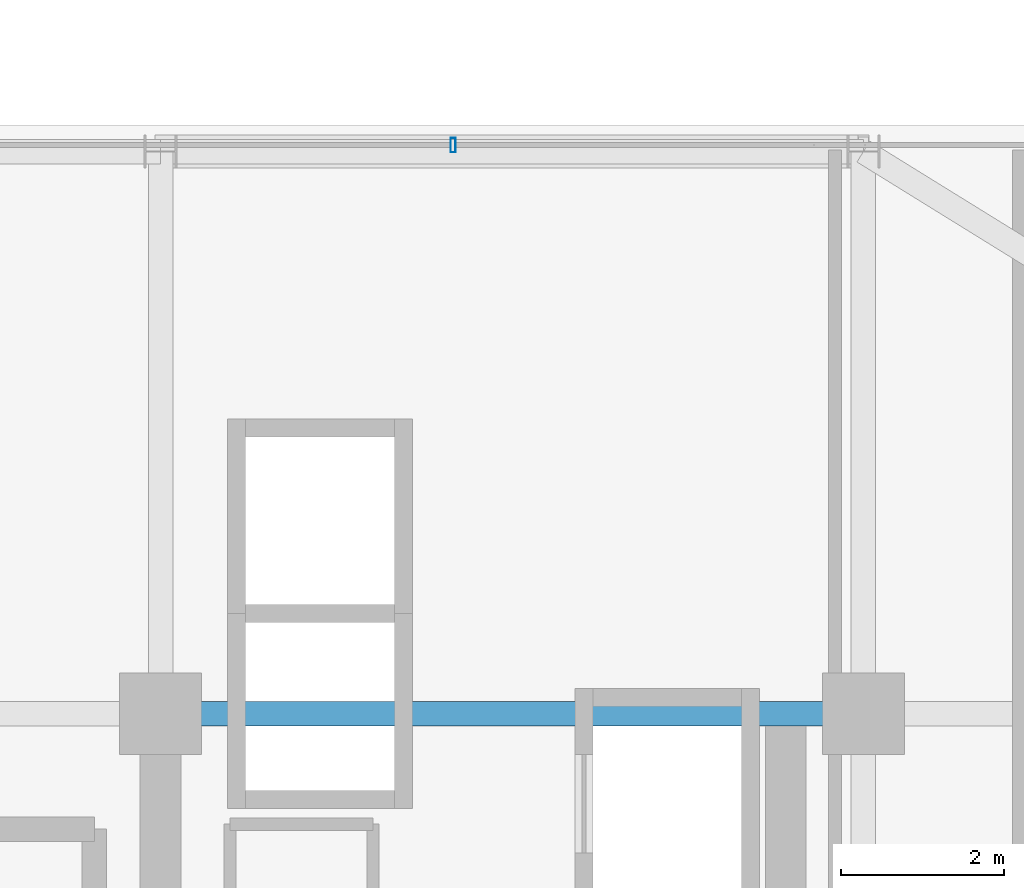
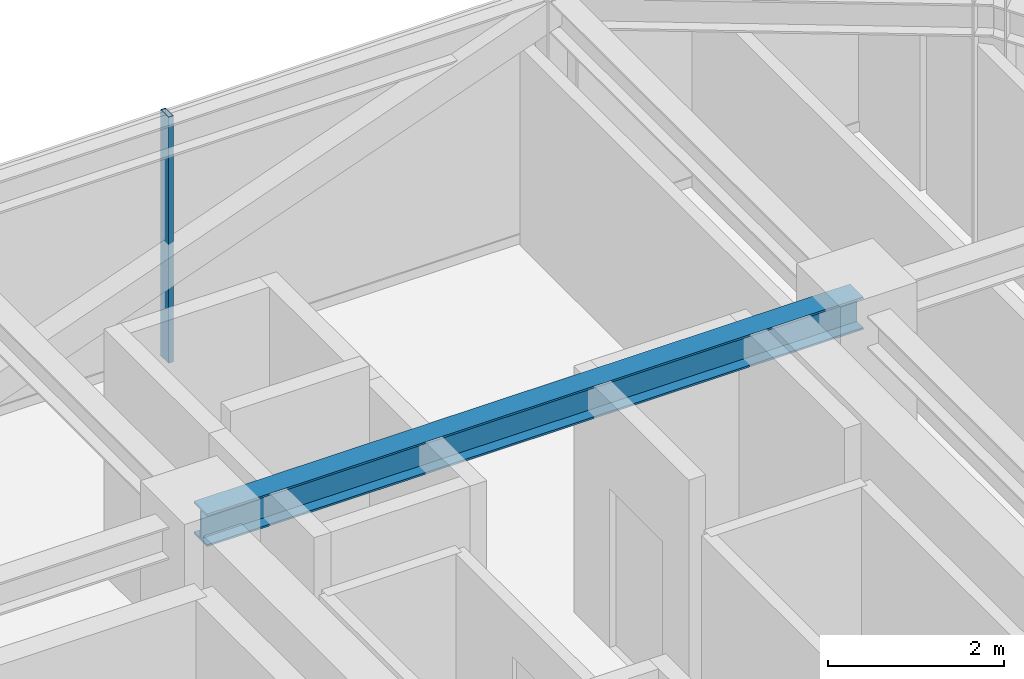
# One storey, part 24 of 41: 1 beam, 1 member, 1 element without a shape of its own.
"""IFC4 building model written with IfcOpenShell, lengths in metres."""

import ifcopenshell
import ifcopenshell.guid

model = None  # the IFC model being written
_history = None  # IfcOwnerHistory: only IFC2X3 demands one
_inside = {}  # id of a spatial element -> (the spatial element, [elements in it])
_under = {}  # id of a project, library or spatial element -> (it, [spatial elements below it])
_declared = {}  # id of a project -> (the project, [libraries it declares])
_typed = {}  # id of a type object -> (the type object, [elements of that type])
_made_of = {}  # id of a material, layer set ... -> (it, [elements and type objects made of it])


def new_model(schema):
    """Start an empty IFC model of exactly this schema.

    Asked for "IFC4X3", IfcOpenShell would pick the latest addendum, in which some entities
    have other attributes; the version numbers below select the first issue.
    IFC2X3 requires an IfcOwnerHistory on every rooted entity: one is made here for all.
    """
    global model, _history
    if schema == "IFC4X3":
        model = ifcopenshell.file(schema_version=(4, 3, 0, 0))
    else:
        model = ifcopenshell.file(schema=schema)
    _inside.clear()
    _under.clear()
    _declared.clear()
    _typed.clear()
    _made_of.clear()
    _history = None
    if model.schema == "IFC2X3":
        org = make("IfcOrganization", Name="unknown")
        user = make(
            "IfcPersonAndOrganization",
            ThePerson=make("IfcPerson", FamilyName="unknown"),
            TheOrganization=org,
        )
        app = make(
            "IfcApplication",
            ApplicationDeveloper=org,
            Version="unknown",
            ApplicationFullName="unknown",
            ApplicationIdentifier="unknown",
        )
        _history = make(
            "IfcOwnerHistory",
            OwningUser=user,
            OwningApplication=app,
            ChangeAction="ADDED",
            CreationDate=0,
        )
    return model


def make(cls, **values):
    """One entity of the class cls with the attributes given. An attribute that is None is left unset."""
    return model.create_entity(
        cls, **{name: value for name, value in values.items() if value is not None}
    )


def rooted(cls, **values):
    """An entity with a GlobalId (a new one), such as an element, a storey or a relation."""
    return make(cls, GlobalId=ifcopenshell.guid.new(), OwnerHistory=_history, **values)


def si_unit(unit_type, name, prefix=None):
    """IfcSIUnit, for example si_unit("LENGTHUNIT", "METRE", prefix="MILLI")."""
    return make("IfcSIUnit", UnitType=unit_type, Prefix=prefix, Name=name)


def assignment(units):
    """IfcUnitAssignment: the units of a project."""
    return None if units is None else make("IfcUnitAssignment", Units=units)


def point(xyz):
    """IfcCartesianPoint."""
    return None if xyz is None else make("IfcCartesianPoint", Coordinates=xyz)


def direction(xyz):
    """IfcDirection."""
    return None if xyz is None else make("IfcDirection", DirectionRatios=xyz)


def frame(location, z_axis=None, x_axis=None):
    """IfcAxis2Placement3D, a coordinate frame: its origin and axes. An axis left out is left unset."""
    return make(
        "IfcAxis2Placement3D",
        Location=point(location),
        Axis=direction(z_axis),
        RefDirection=direction(x_axis),
    )


def frame_2d(location, x_axis=None):
    """IfcAxis2Placement2D, a coordinate frame in the plane: its origin and x axis."""
    return make(
        "IfcAxis2Placement2D", Location=point(location), RefDirection=direction(x_axis)
    )


def origin():
    """The frame at (0, 0, 0) with its axes left unset."""
    return frame((0.0, 0.0, 0.0))


def origin_2d():
    """The frame at (0, 0) in the plane with its x axis left unset."""
    return frame_2d((0.0, 0.0))


def place(relative_to, where):
    """IfcLocalPlacement: puts the frame where relative to a parent placement (None: the world)."""
    return make(
        "IfcLocalPlacement", PlacementRelTo=relative_to, RelativePlacement=where
    )


def context(
    kind, dimensions, precision=None, world=None, true_north=None, identifier=None
):
    """IfcGeometricRepresentationContext, for example the 3D "Model" context."""
    return make(
        "IfcGeometricRepresentationContext",
        ContextIdentifier=identifier,
        ContextType=kind,
        CoordinateSpaceDimension=dimensions,
        Precision=precision,
        WorldCoordinateSystem=world,
        TrueNorth=true_north,
    )


def subcontext(parent, identifier, kind, view, scale=None):
    """IfcGeometricRepresentationSubContext, for example "Body" below "Model"."""
    return make(
        "IfcGeometricRepresentationSubContext",
        ContextIdentifier=identifier,
        ContextType=kind,
        ParentContext=parent,
        TargetScale=scale,
        TargetView=view,
    )


def project(units=None, contexts=None):
    """IfcProject with its units and contexts."""
    return rooted(
        "IfcProject",
        Name="project",
        RepresentationContexts=contexts,
        UnitsInContext=assignment(units),
    )


def spatial(cls, under=None, at=None, **own):
    """A site, building, storey or space (cls), placed at a placement, below another one or the project."""
    s = rooted(cls, ObjectPlacement=at, **own)
    if under is not None:
        _under.setdefault(under.id(), (under, []))[1].append(s)
    return s


def profile(cls, at=None, kind="AREA", **sizes):
    """A parametric profile (cls). Its sizes go by their IFC names, for example OverallWidth=200.0."""
    return make(cls, ProfileType=kind, Position=at, **sizes)


def hollow_rectangle(**sizes):
    """IfcRectangleHollowProfileDef."""
    return profile("IfcRectangleHollowProfileDef", **sizes)


def i_section(**sizes):
    """IfcIShapeProfileDef."""
    return profile("IfcIShapeProfileDef", **sizes)


def extrude(swept, where, along, depth):
    """IfcExtrudedAreaSolid: the profile swept, set in the frame where, extruded along a direction by depth."""
    return make(
        "IfcExtrudedAreaSolid",
        SweptArea=swept,
        Position=where,
        ExtrudedDirection=direction(along),
        Depth=depth,
    )


def shape(context_of_items, identifier, shape_type, items):
    """IfcShapeRepresentation: the items that make up one representation, for example the "Body"."""
    return make(
        "IfcShapeRepresentation",
        ContextOfItems=context_of_items,
        RepresentationIdentifier=identifier,
        RepresentationType=shape_type,
        Items=items,
    )


def source(mapping_origin, context_of_items, identifier, shape_type, items):
    """IfcRepresentationMap: a shape defined once, which mapped items show again and again."""
    return make(
        "IfcRepresentationMap",
        MappingOrigin=mapping_origin,
        MappedRepresentation=shape(context_of_items, identifier, shape_type, items),
    )


def transform(
    local_origin,
    x_axis=None,
    y_axis=None,
    z_axis=None,
    scale=None,
    scale2=None,
    scale3=None,
    uniform=True,
):
    """IfcCartesianTransformationOperator3D, or its non-uniform kind. x_axis, y_axis, z_axis: its Axis1, 2, 3."""
    if uniform:
        return make(
            "IfcCartesianTransformationOperator3D",
            Axis1=direction(x_axis),
            Axis2=direction(y_axis),
            LocalOrigin=point(local_origin),
            Scale=scale,
            Axis3=direction(z_axis),
        )
    return make(
        "IfcCartesianTransformationOperator3DnonUniform",
        Axis1=direction(x_axis),
        Axis2=direction(y_axis),
        LocalOrigin=point(local_origin),
        Scale=scale,
        Axis3=direction(z_axis),
        Scale2=scale2,
        Scale3=scale3,
    )


def mapped(mapping_source, mapping_target):
    """IfcMappedItem: shows the shape of a source again, moved by a transform."""
    return make(
        "IfcMappedItem", MappingSource=mapping_source, MappingTarget=mapping_target
    )


def material(Name=None, Category=None):
    """IfcMaterial."""
    return make("IfcMaterial", Name=Name, Category=Category)


def material_profile(
    of_material, cross_section, Name=None, Category=None, Priority=None
):
    """IfcMaterialProfile: a cross section and its material."""
    return make(
        "IfcMaterialProfile",
        Name=Name,
        Material=of_material,
        Profile=cross_section,
        Priority=Priority,
        Category=Category,
    )


def profile_set(profiles, Name=None, composite=None):
    """IfcMaterialProfileSet."""
    return make(
        "IfcMaterialProfileSet",
        Name=Name,
        MaterialProfiles=profiles,
        CompositeProfile=composite,
    )


def made_of(thing, what):
    """Note that an element or type object is made of a material, layer set ...; save() writes the relation."""
    if what is not None:
        _made_of.setdefault(what.id(), (what, []))[1].append(thing)
    return thing


def type_object(cls, material=None, **own):
    """A type object (cls), such as IfcWallType, which elements share."""
    return made_of(rooted(cls, **own), material)


def element(
    cls,
    number,
    at=None,
    inside=None,
    cuts=None,
    type_object=None,
    material=None,
    context=None,
    identifier="Body",
    shape_type=None,
    held_by="IfcProductDefinitionShape",
    body=None,
    shapes=None,
    **own,
):
    """One element of the class cls, such as IfcWall. Its Tag is "e" and its number.

    at: its placement. inside: the storey or other place that contains it. cuts: it is an
    opening in that element (IfcRelVoidsElement). A single representation is given by context,
    identifier, shape_type and body (its items); several are given by shapes. held_by: the class
    of the entity that holds the representations. save() writes the other relations.
    """
    e = rooted(cls, Tag="e%d" % number, ObjectPlacement=at, **own)
    if body is not None:
        shapes = [shape(context, identifier, shape_type, body)]
    if shapes is not None:
        e.Representation = make(held_by, Representations=shapes)
    if inside is not None:
        _inside.setdefault(inside.id(), (inside, []))[1].append(e)
    if cuts is not None:
        rooted(
            "IfcRelVoidsElement", RelatingBuildingElement=cuts, RelatedOpeningElement=e
        )
    if type_object is not None:
        _typed.setdefault(type_object.id(), (type_object, []))[1].append(e)
    return made_of(e, material)


def aggregate(whole, parts):
    """IfcRelAggregates: a whole, such as a stair, and the parts it consists of."""
    return rooted("IfcRelAggregates", RelatingObject=whole, RelatedObjects=parts)


def save(model, path):
    """Write the relations noted so far, then the file.

    IfcRelAggregates (storeys below a building ...), IfcRelContainedInSpatialStructure (elements
    in a storey), IfcRelDefinesByType, IfcRelAssociatesMaterial and IfcRelDeclares: one each for
    every whole, place, type object, material and project.
    """
    for whole, parts in _under.values():
        aggregate(whole, parts)
    for where, things in _inside.values():
        rooted(
            "IfcRelContainedInSpatialStructure",
            RelatedElements=things,
            RelatingStructure=where,
        )
    for kind, things in _typed.values():
        rooted("IfcRelDefinesByType", RelatedObjects=things, RelatingType=kind)
    for what, things in _made_of.values():
        rooted("IfcRelAssociatesMaterial", RelatedObjects=things, RelatingMaterial=what)
    for by, libraries in _declared.values():
        rooted("IfcRelDeclares", RelatingContext=by, RelatedDefinitions=libraries)
    model.write(path)


model = new_model("IFC4")

# Units and contexts
model_context = context("Model", 3, precision=1e-05, world=origin(), true_north=direction((0.0, 1.0)))
body_context = subcontext(model_context, "Body", "Model", "MODEL_VIEW")
ifc_project = project(units=[si_unit("LENGTHUNIT", "METRE"), si_unit("AREAUNIT", "SQUARE_METRE"), si_unit("VOLUMEUNIT", "CUBIC_METRE"), si_unit("PLANEANGLEUNIT", "RADIAN"), si_unit("MASSUNIT", "GRAM", prefix="KILO")], contexts=[model_context])

# Site, building, storey
site_placement = place(None, origin())
site = spatial("IfcSite", under=ifc_project, at=site_placement, CompositionType="ELEMENT")
building_placement = place(site_placement, origin())
building = spatial("IfcBuilding", under=site, at=building_placement, Name="Nahalor Promenade Grand Hotel", CompositionType="ELEMENT")
storey_placement = place(building_placement, frame((0.0, 0.0, 227.10009765625)))
storey = spatial("IfcBuildingStorey", under=building, at=storey_placement, Name="L58", CompositionType="ELEMENT", Elevation=227.10009765625)

# Beam
ifc_material_1 = material(Name="Steel S355JR", Category="steel")
ifc_material_profile_1 = material_profile(ifc_material_1, i_section(OverallWidth=0.3, OverallDepth=0.45, WebThickness=0.014, FlangeThickness=0.026, at=origin_2d()), Name="HEB 450")
ifc_profile_set_1 = profile_set([ifc_material_profile_1], Name="Steel S355JR")
beam_type = type_object("IfcBeamType", Name="Beam-Girder-HEB450", PredefinedType="BEAM", material=ifc_profile_set_1)
shared_shape_1 = source(origin(), body_context, "Body", "SweptSolid", [
    extrude(i_section(OverallWidth=0.3, OverallDepth=0.45, WebThickness=0.014, FlangeThickness=0.026, at=origin_2d()), origin(), (0.0, 0.0, 1.0), 8.60009765625),
])
beam_placement = place(storey_placement, frame((8.39990234375, 17.0, 3.184814453125), z_axis=(1.0, 0.0, 0.0), x_axis=(0.0, 1.0, 0.0)))
element("IfcBeam", 1, at=beam_placement, inside=storey, type_object=beam_type, Name="BM-L58-GX-3-5", PredefinedType="BEAM", context=body_context, shape_type="MappedRepresentation", body=[
    mapped(shared_shape_1, transform((0.0, 0.0, 0.0), scale=1.0)),
])

# Curtain wall, member
ifc_material_2 = material(Name="Anodised Bronze Aluminium EN AW-6063 T6", Category="aluminium")
curtain_wall_type = type_object("IfcCurtainWallType", Name="CW2 Typical Hotel Flush Bronze Unitised Curtain Wall", PredefinedType="USERDEFINED", material=ifc_material_2)
curtain_wall_placement = place(storey_placement, origin())
curtain_wall = element("IfcCurtainWall", 2, at=curtain_wall_placement, inside=storey, type_object=curtain_wall_type, Name="L58 Curtain Wall CW-L58-N-3", ObjectType="UNITISED_CURTAIN_WALL", PredefinedType="USERDEFINED")
ifc_material_profile_2 = material_profile(ifc_material_2, hollow_rectangle(XDim=0.065, YDim=0.18, WallThickness=0.004, at=origin_2d()), Name="CWM 65x180x4")
ifc_profile_set_2 = profile_set([ifc_material_profile_2], Name="Anodised Bronze Aluminium EN AW-6063 T6")
member_type = type_object("IfcMemberType", Name="CWM2 Typical Bronze Mullion 65x180", PredefinedType="MULLION", material=ifc_profile_set_2)
shared_shape_2 = source(origin(), body_context, "Body", "SweptSolid", [
    extrude(hollow_rectangle(XDim=0.065, YDim=0.18, WallThickness=0.004, at=origin_2d()), origin(), (0.0, 0.0, 1.0), 3.409912109375),
])
member_placement = place(storey_placement, frame((11.97998046875, 23.9599609375, 0.0), z_axis=(0.0, 0.0, 1.0), x_axis=(1.0, 0.0, 0.0)))
member = element("IfcMember", 3, at=member_placement, type_object=member_type, Name="CW-L58-N-3 Mullion 1", PredefinedType="MULLION", context=body_context, shape_type="MappedRepresentation", body=[
    mapped(shared_shape_2, transform((0.0, 0.0, 0.0), scale=1.0)),
])
aggregate(curtain_wall, [member])

save(model, "model.ifc")
